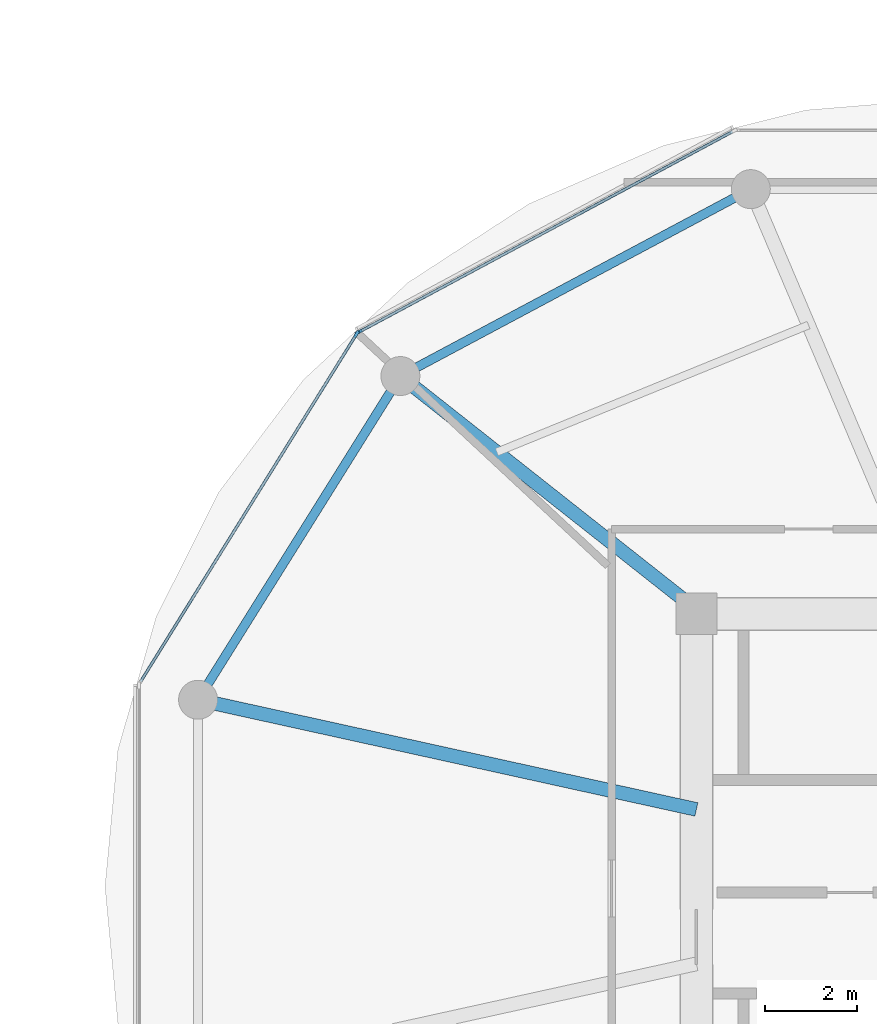
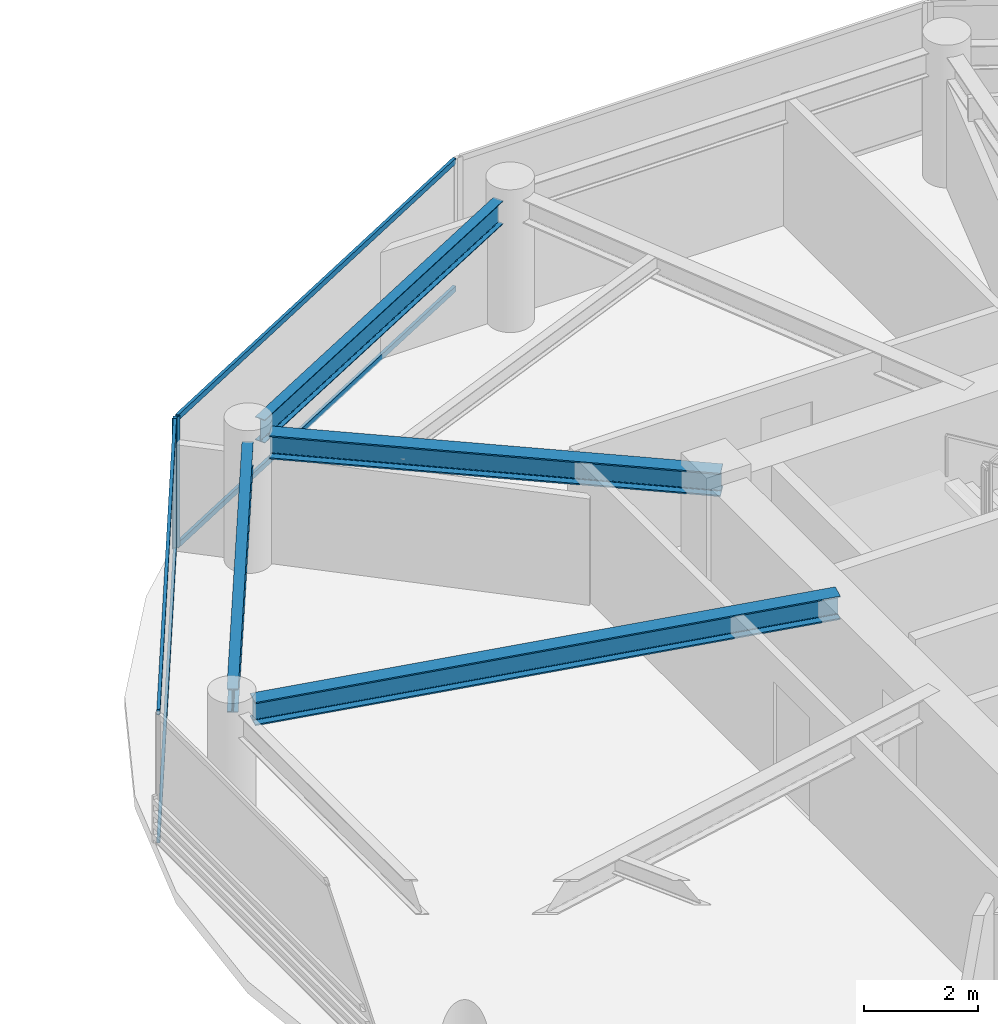
# One storey, part 8 of 25: 6 members, 4 beams, 2 elements without a shape of their own.
"""IFC4 building model written with IfcOpenShell, lengths in metres."""

from ifc_helpers import new_model, si_unit, direction, frame, origin, origin_2d, place, context, subcontext, project, spatial, rectangle, i_section, extrude, source, transform, mapped, material, layer, layer_set, material_profile, profile_set, type_object, type_shapes, element, aggregate, save


model = new_model("IFC4")

# Units and contexts
model_context = context("Model", 3, precision=1e-05, world=origin(), true_north=direction((0.0, 1.0)))
body_context = subcontext(model_context, "Body", "Model", "MODEL_VIEW")
ifc_project = project(units=[si_unit("LENGTHUNIT", "METRE"), si_unit("AREAUNIT", "SQUARE_METRE"), si_unit("VOLUMEUNIT", "CUBIC_METRE"), si_unit("PLANEANGLEUNIT", "RADIAN"), si_unit("MASSUNIT", "GRAM", prefix="KILO")], contexts=[model_context])

# Site, building, storey
site_placement = place(None, origin())
site = spatial("IfcSite", under=ifc_project, at=site_placement, CompositionType="ELEMENT")
building_placement = place(site_placement, origin())
building = spatial("IfcBuilding", under=site, at=building_placement, Name="Norrkilde Senior Care Towers", CompositionType="ELEMENT")
storey_placement = place(building_placement, frame((0.0, 0.0, 84.050048828125)))
storey = spatial("IfcBuildingStorey", under=building, at=storey_placement, Name="L25", CompositionType="ELEMENT", Elevation=84.050048828125)

# Beams
ifc_material_1 = material(Name="Steel S355", Category="steel")
ifc_material_profile_1 = material_profile(ifc_material_1, i_section(OverallWidth=0.199951171875, OverallDepth=0.5, WebThickness=0.01025390625, FlangeThickness=0.01611328125, FilletRadius=0.02099609375, at=origin_2d()), Name="IPE 500")
ifc_profile_set_1 = profile_set([ifc_material_profile_1], Name="Steel S355")
beam_type_1 = type_object("IfcBeamType", Name="Perimeter Ring Spandrel Z2 IPE500", PredefinedType="SPANDREL", material=ifc_profile_set_1)
shared_shape_1 = source(origin(), body_context, "Body", "SweptSolid", [
    extrude(i_section(OverallWidth=0.199951171875, OverallDepth=0.5, WebThickness=0.01025390625, FlangeThickness=0.01611328125, FilletRadius=0.02099609375, at=origin_2d()), origin(), (0.0, 0.0, 1.0), 7.55615234375),
])
beam_1_placement = place(storey_placement, frame((13.689697265625, 10.810546875, 2.5400390625), z_axis=(-0.529981514254, -0.848009194849, 0.0), x_axis=(0.848009194849, -0.529981514254, 0.0)))
element("IfcBeam", 1, at=beam_1_placement, inside=storey, type_object=beam_type_1, Name="L25 Drum E Perimeter Spandrel 05", PredefinedType="SPANDREL", context=body_context, shape_type="MappedRepresentation", body=[
    mapped(shared_shape_1, transform((0.0, 0.0, 0.0), x_axis=(1.0, 0.0, 0.0), y_axis=(0.0, 1.0, 0.0), z_axis=(0.0, 0.0, 1.0), scale=1.0)),
])
ifc_material_profile_2 = material_profile(ifc_material_1, i_section(OverallWidth=0.300048828125, OverallDepth=0.5, WebThickness=0.014404296875, FlangeThickness=0.028076171875, FilletRadius=0.027099609375, at=origin_2d()), Name="HEB 500")
ifc_profile_set_2 = profile_set([ifc_material_profile_2], Name="Steel S355")
beam_type_2 = type_object("IfcBeamType", Name="Radial Floor Beam Z2 HEB500", PredefinedType="BEAM", material=ifc_profile_set_2)
shared_shape_2 = source(origin(), body_context, "Body", "SweptSolid", [
    extrude(i_section(OverallWidth=0.300048828125, OverallDepth=0.5, WebThickness=0.014404296875, FlangeThickness=0.028076171875, FilletRadius=0.027099609375, at=origin_2d()), origin(), (0.0, 0.0, 1.0), 10.744384765625),
])
beam_2_placement = place(storey_placement, frame((20.35009765625, 1.683837890625, 2.5400390625), z_axis=(-0.976618711422, 0.214978818724, 0.0), x_axis=(-0.214978818724, -0.976618711422, 0.0)))
element("IfcBeam", 2, at=beam_2_placement, inside=storey, type_object=beam_type_2, Name="L25 Drum E Radial Floor Beam 06", PredefinedType="BEAM", context=body_context, shape_type="MappedRepresentation", body=[
    mapped(shared_shape_2, transform((0.0, 0.0, 0.0), x_axis=(1.0, 0.0, 0.0), y_axis=(0.0, 1.0, 0.0), z_axis=(0.0, 0.0, 1.0), scale=1.0)),
])
shared_shape_3 = source(origin(), body_context, "Body", "SweptSolid", [
    extrude(i_section(OverallWidth=0.199951171875, OverallDepth=0.5, WebThickness=0.01025390625, FlangeThickness=0.01611328125, FilletRadius=0.02099609375, at=origin_2d()), origin(), (0.0, 0.0, 1.0), 7.892333984375),
])
type_shapes(beam_type_1, [shared_shape_1, shared_shape_3])
beam_3_placement = place(storey_placement, frame((21.197509765625, 15.0322265625, 2.5400390625), z_axis=(-0.882350372282, -0.47059305194, 0.0), x_axis=(0.47059305194, -0.882350372282, 0.0)))
element("IfcBeam", 3, at=beam_3_placement, inside=storey, type_object=beam_type_1, Name="L25 Drum E Perimeter Spandrel 04", PredefinedType="SPANDREL", context=body_context, shape_type="MappedRepresentation", body=[
    mapped(shared_shape_3, transform((0.0, 0.0, 0.0), x_axis=(1.0, 0.0, 0.0), y_axis=(0.0, 1.0, 0.0), z_axis=(0.0, 0.0, 1.0), scale=1.0)),
])
shared_shape_4 = source(origin(), body_context, "Body", "SweptSolid", [
    extrude(i_section(OverallWidth=0.300048828125, OverallDepth=0.5, WebThickness=0.014404296875, FlangeThickness=0.028076171875, FilletRadius=0.027099609375, at=origin_2d()), origin(), (0.0, 0.0, 1.0), 7.985595703125),
])
type_shapes(beam_type_2, [shared_shape_2, shared_shape_4])
beam_4_placement = place(storey_placement, frame((20.463623046875, 5.949951171875, 2.5400390625), z_axis=(-0.784858505144, 0.619675017169, 0.0), x_axis=(-0.619675017169, -0.784858505144, 0.0)))
element("IfcBeam", 4, at=beam_4_placement, inside=storey, type_object=beam_type_2, Name="L25 Drum E Radial Floor Beam 05", PredefinedType="BEAM", context=body_context, shape_type="MappedRepresentation", body=[
    mapped(shared_shape_4, transform((0.0, 0.0, 0.0), x_axis=(1.0, 0.0, 0.0), y_axis=(0.0, 1.0, 0.0), z_axis=(0.0, 0.0, 1.0), scale=1.0)),
])

# Curtain wall, member
ifc_material_2 = material(Name="Triple Low-E Insulated Glazing", Category="glass")
ifc_layer = layer(ifc_material_2, 0.195068359375)
ifc_layer_set = layer_set([ifc_layer], Name="Triple Low-E Insulated Glazing")
curtain_wall_type = type_object("IfcCurtainWallType", Name="CW3 Zone 2 Assisted Living Curtain Wall", PredefinedType="NOTDEFINED", material=ifc_layer_set)
curtain_wall_1_placement = place(storey_placement, origin())
curtain_wall_1 = element("IfcCurtainWall", 5, at=curtain_wall_1_placement, inside=storey, type_object=curtain_wall_type, Name="L25 Drum E Curtain Wall 03", PredefinedType="NOTDEFINED")
ifc_material_3 = material(Name="Anodised Aluminium", Category="aluminium")
ifc_material_profile_3 = material_profile(ifc_material_3, rectangle(XDim=0.06494140625, YDim=0.159912109375, at=origin_2d()), Name="ALU MULL 65x160")
ifc_profile_set_3 = profile_set([ifc_material_profile_3], Name="Anodised Aluminium")
member_type_1 = type_object("IfcMemberType", Name="Curtain Wall Mullion Z1-Z2 65x160", PredefinedType="MULLION", material=ifc_profile_set_3)
shared_shape_5 = source(origin(), body_context, "Body", "SweptSolid", [
    extrude(rectangle(XDim=0.06494140625, YDim=0.159912109375, at=origin_2d()), origin(), (0.0, 0.0, 1.0), 2.7900390625),
])
type_shapes(member_type_1, [shared_shape_5])
member_1_placement = place(storey_placement, frame((12.98193359375, 12.0927734375, 0.0), z_axis=(0.0, 0.0, 1.0), x_axis=(-0.472769402511, 0.881186184668, 0.0)))
member_1 = element("IfcMember", 6, at=member_1_placement, type_object=member_type_1, Name="CW-3 mullion 1", PredefinedType="MULLION", context=body_context, shape_type="MappedRepresentation", body=[
    mapped(shared_shape_5, transform((0.0, 0.0, 0.0), x_axis=(1.0, 0.0, 0.0), y_axis=(0.0, 1.0, 0.0), z_axis=(0.0, 0.0, 1.0), scale=1.0)),
])

# Curtain wall, members
curtain_wall_2_placement = place(storey_placement, origin())
curtain_wall_2 = element("IfcCurtainWall", 7, at=curtain_wall_2_placement, inside=storey, type_object=curtain_wall_type, Name="L25 Drum E Curtain Wall 04", PredefinedType="NOTDEFINED")
member_2_placement = place(storey_placement, frame((12.936279296875, 12.0498046875, 0.0), z_axis=(0.0, 0.0, 1.0), x_axis=(-0.849410171862, 0.527733228002, 0.0)))
member_2 = element("IfcMember", 8, at=member_2_placement, type_object=member_type_1, Name="CW-3 mullion 2", PredefinedType="MULLION", context=body_context, shape_type="MappedRepresentation", body=[
    mapped(shared_shape_5, transform((0.0, 0.0, 0.0), x_axis=(1.0, 0.0, 0.0), y_axis=(0.0, 1.0, 0.0), z_axis=(0.0, 0.0, 1.0), scale=1.0)),
])
ifc_material_profile_4 = material_profile(ifc_material_3, rectangle(XDim=0.06005859375, YDim=0.1201171875, at=origin_2d()), Name="ALU TRAN 60x120")
ifc_profile_set_4 = profile_set([ifc_material_profile_4], Name="Anodised Aluminium")
member_type_2 = type_object("IfcMemberType", Name="Curtain Wall Transom Typical 60x120", PredefinedType="USERDEFINED", material=ifc_profile_set_4)
shared_shape_6 = source(origin(), body_context, "Body", "SweptSolid", [
    extrude(rectangle(XDim=0.06005859375, YDim=0.1201171875, at=origin_2d()), origin(), (0.0, 0.0, 1.0), 8.88427734375),
])
member_3_placement = place(storey_placement, frame((8.23046875, 4.475830078125, 0.030029296875), z_axis=(0.527749293309, 0.849400190377, 0.0), x_axis=(-0.849400190377, 0.527749293309, 0.0)))
member_3 = element("IfcMember", 9, at=member_3_placement, type_object=member_type_2, Name="CW-3 transom 1.1", ObjectType="TRANSOM", PredefinedType="USERDEFINED", context=body_context, shape_type="MappedRepresentation", body=[
    mapped(shared_shape_6, transform((0.0, 0.0, 0.0), x_axis=(1.0, 0.0, 0.0), y_axis=(0.0, 1.0, 0.0), z_axis=(0.0, 0.0, 1.0), scale=1.0)),
])
member_4_placement = place(storey_placement, frame((8.23046875, 4.475830078125, 2.760009765625), z_axis=(0.527749293309, 0.849400190377, 0.0), x_axis=(-0.849400190377, 0.527749293309, 0.0)))
member_4 = element("IfcMember", 10, at=member_4_placement, type_object=member_type_2, Name="CW-3 transom 1.2", ObjectType="TRANSOM", PredefinedType="USERDEFINED", context=body_context, shape_type="MappedRepresentation", body=[
    mapped(shared_shape_6, transform((0.0, 0.0, 0.0), x_axis=(1.0, 0.0, 0.0), y_axis=(0.0, 1.0, 0.0), z_axis=(0.0, 0.0, 1.0), scale=1.0)),
])
aggregate(curtain_wall_2, [member_2, member_3, member_4])

# Member
shared_shape_7 = source(origin(), body_context, "Body", "SweptSolid", [
    extrude(rectangle(XDim=0.06005859375, YDim=0.1201171875, at=origin_2d()), origin(), (0.0, 0.0, 1.0), 9.220458984375),
])
type_shapes(member_type_2, [shared_shape_6, shared_shape_7])
member_5_placement = place(storey_placement, frame((13.0107421875, 12.108154296875, 0.030029296875), z_axis=(0.881188517866, 0.472765053681, 0.0), x_axis=(-0.472765053681, 0.881188517866, 0.0)))
member_5 = element("IfcMember", 11, at=member_5_placement, type_object=member_type_2, Name="CW-3 transom 1.1", ObjectType="TRANSOM", PredefinedType="USERDEFINED", context=body_context, shape_type="MappedRepresentation", body=[
    mapped(shared_shape_7, transform((0.0, 0.0, 0.0), x_axis=(1.0, 0.0, 0.0), y_axis=(0.0, 1.0, 0.0), z_axis=(0.0, 0.0, 1.0), scale=1.0)),
])

member_6_placement = place(storey_placement, frame((13.0107421875, 12.108154296875, 2.760009765625), z_axis=(0.881188517866, 0.472765053681, 0.0), x_axis=(-0.472765053681, 0.881188517866, 0.0)))
member_6 = element("IfcMember", 12, at=member_6_placement, type_object=member_type_2, Name="CW-3 transom 1.2", ObjectType="TRANSOM", PredefinedType="USERDEFINED", context=body_context, shape_type="MappedRepresentation", body=[
    mapped(shared_shape_7, transform((0.0, 0.0, 0.0), x_axis=(1.0, 0.0, 0.0), y_axis=(0.0, 1.0, 0.0), z_axis=(0.0, 0.0, 1.0), scale=1.0)),
])

aggregate(curtain_wall_1, [member_1, member_5, member_6])

save(model, "model.ifc")
